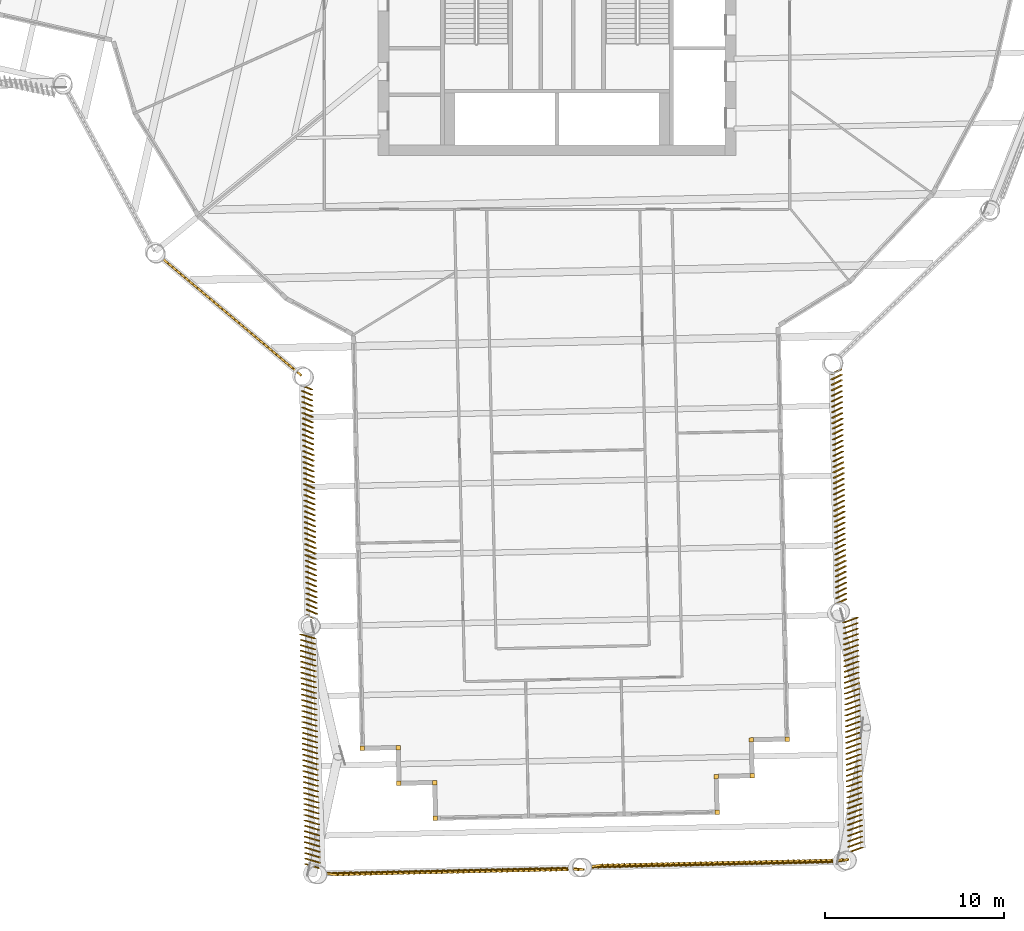
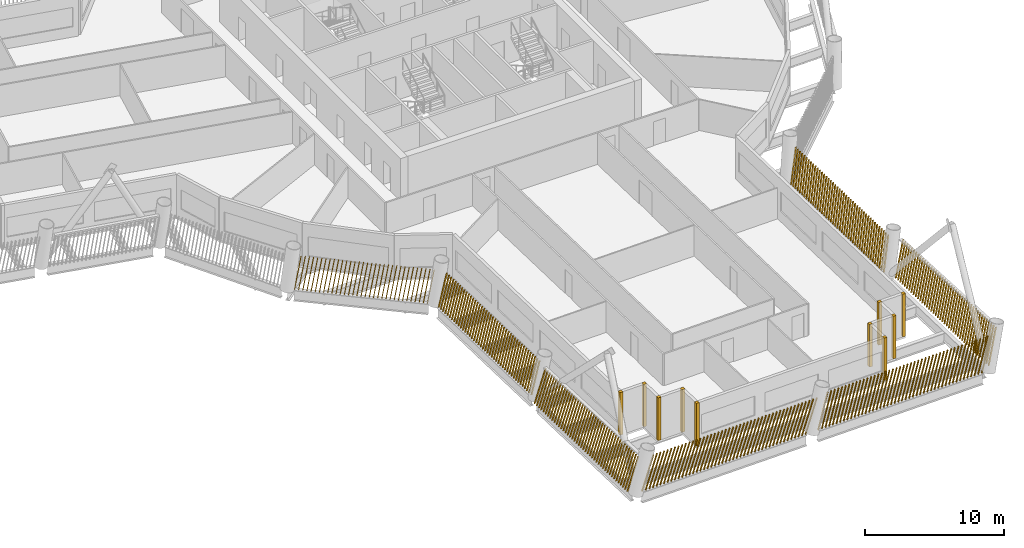
# One storey, part 19 of 23: 17 shading devices.
"""IFC4 building model written with IfcOpenShell, lengths in metres."""

import ifcopenshell
import ifcopenshell.guid

model = None  # the IFC model being written
_history = None  # IfcOwnerHistory: only IFC2X3 demands one
_inside = {}  # id of a spatial element -> (the spatial element, [elements in it])
_under = {}  # id of a project, library or spatial element -> (it, [spatial elements below it])
_declared = {}  # id of a project -> (the project, [libraries it declares])
_typed = {}  # id of a type object -> (the type object, [elements of that type])
_made_of = {}  # id of a material, layer set ... -> (it, [elements and type objects made of it])


def new_model(schema):
    """Start an empty IFC model of exactly this schema.

    Asked for "IFC4X3", IfcOpenShell would pick the latest addendum, in which some entities
    have other attributes; the version numbers below select the first issue.
    IFC2X3 requires an IfcOwnerHistory on every rooted entity: one is made here for all.
    """
    global model, _history
    if schema == "IFC4X3":
        model = ifcopenshell.file(schema_version=(4, 3, 0, 0))
    else:
        model = ifcopenshell.file(schema=schema)
    _inside.clear()
    _under.clear()
    _declared.clear()
    _typed.clear()
    _made_of.clear()
    _history = None
    if model.schema == "IFC2X3":
        org = make("IfcOrganization", Name="unknown")
        user = make(
            "IfcPersonAndOrganization",
            ThePerson=make("IfcPerson", FamilyName="unknown"),
            TheOrganization=org,
        )
        app = make(
            "IfcApplication",
            ApplicationDeveloper=org,
            Version="unknown",
            ApplicationFullName="unknown",
            ApplicationIdentifier="unknown",
        )
        _history = make(
            "IfcOwnerHistory",
            OwningUser=user,
            OwningApplication=app,
            ChangeAction="ADDED",
            CreationDate=0,
        )
    return model


def make(cls, **values):
    """One entity of the class cls with the attributes given. An attribute that is None is left unset."""
    return model.create_entity(
        cls, **{name: value for name, value in values.items() if value is not None}
    )


def rooted(cls, **values):
    """An entity with a GlobalId (a new one), such as an element, a storey or a relation."""
    return make(cls, GlobalId=ifcopenshell.guid.new(), OwnerHistory=_history, **values)


def si_unit(unit_type, name, prefix=None):
    """IfcSIUnit, for example si_unit("LENGTHUNIT", "METRE", prefix="MILLI")."""
    return make("IfcSIUnit", UnitType=unit_type, Prefix=prefix, Name=name)


def assignment(units):
    """IfcUnitAssignment: the units of a project."""
    return None if units is None else make("IfcUnitAssignment", Units=units)


def point(xyz):
    """IfcCartesianPoint."""
    return None if xyz is None else make("IfcCartesianPoint", Coordinates=xyz)


def direction(xyz):
    """IfcDirection."""
    return None if xyz is None else make("IfcDirection", DirectionRatios=xyz)


def frame(location, z_axis=None, x_axis=None):
    """IfcAxis2Placement3D, a coordinate frame: its origin and axes. An axis left out is left unset."""
    return make(
        "IfcAxis2Placement3D",
        Location=point(location),
        Axis=direction(z_axis),
        RefDirection=direction(x_axis),
    )


def frame_2d(location, x_axis=None):
    """IfcAxis2Placement2D, a coordinate frame in the plane: its origin and x axis."""
    return make(
        "IfcAxis2Placement2D", Location=point(location), RefDirection=direction(x_axis)
    )


def origin():
    """The frame at (0, 0, 0) with its axes left unset."""
    return frame((0.0, 0.0, 0.0))


def origin_2d():
    """The frame at (0, 0) in the plane with its x axis left unset."""
    return frame_2d((0.0, 0.0))


def place(relative_to, where):
    """IfcLocalPlacement: puts the frame where relative to a parent placement (None: the world)."""
    return make(
        "IfcLocalPlacement", PlacementRelTo=relative_to, RelativePlacement=where
    )


def context(
    kind, dimensions, precision=None, world=None, true_north=None, identifier=None
):
    """IfcGeometricRepresentationContext, for example the 3D "Model" context."""
    return make(
        "IfcGeometricRepresentationContext",
        ContextIdentifier=identifier,
        ContextType=kind,
        CoordinateSpaceDimension=dimensions,
        Precision=precision,
        WorldCoordinateSystem=world,
        TrueNorth=true_north,
    )


def subcontext(parent, identifier, kind, view, scale=None):
    """IfcGeometricRepresentationSubContext, for example "Body" below "Model"."""
    return make(
        "IfcGeometricRepresentationSubContext",
        ContextIdentifier=identifier,
        ContextType=kind,
        ParentContext=parent,
        TargetScale=scale,
        TargetView=view,
    )


def project(units=None, contexts=None):
    """IfcProject with its units and contexts."""
    return rooted(
        "IfcProject",
        Name="project",
        RepresentationContexts=contexts,
        UnitsInContext=assignment(units),
    )


def spatial(cls, under=None, at=None, **own):
    """A site, building, storey or space (cls), placed at a placement, below another one or the project."""
    s = rooted(cls, ObjectPlacement=at, **own)
    if under is not None:
        _under.setdefault(under.id(), (under, []))[1].append(s)
    return s


def profile(cls, at=None, kind="AREA", **sizes):
    """A parametric profile (cls). Its sizes go by their IFC names, for example OverallWidth=200.0."""
    return make(cls, ProfileType=kind, Position=at, **sizes)


def rectangle(**sizes):
    """IfcRectangleProfileDef."""
    return profile("IfcRectangleProfileDef", **sizes)


def composite_profile(profiles, kind="AREA"):
    """IfcCompositeProfileDef: several profiles as one."""
    return make("IfcCompositeProfileDef", ProfileType=kind, Profiles=profiles)


def extrude(swept, where, along, depth):
    """IfcExtrudedAreaSolid: the profile swept, set in the frame where, extruded along a direction by depth."""
    return make(
        "IfcExtrudedAreaSolid",
        SweptArea=swept,
        Position=where,
        ExtrudedDirection=direction(along),
        Depth=depth,
    )


def shape(context_of_items, identifier, shape_type, items):
    """IfcShapeRepresentation: the items that make up one representation, for example the "Body"."""
    return make(
        "IfcShapeRepresentation",
        ContextOfItems=context_of_items,
        RepresentationIdentifier=identifier,
        RepresentationType=shape_type,
        Items=items,
    )


def material(Name=None, Category=None):
    """IfcMaterial."""
    return make("IfcMaterial", Name=Name, Category=Category)


def made_of(thing, what):
    """Note that an element or type object is made of a material, layer set ...; save() writes the relation."""
    if what is not None:
        _made_of.setdefault(what.id(), (what, []))[1].append(thing)
    return thing


def type_object(cls, material=None, **own):
    """A type object (cls), such as IfcWallType, which elements share."""
    return made_of(rooted(cls, **own), material)


def element(
    cls,
    number,
    at=None,
    inside=None,
    cuts=None,
    type_object=None,
    material=None,
    context=None,
    identifier="Body",
    shape_type=None,
    held_by="IfcProductDefinitionShape",
    body=None,
    shapes=None,
    **own,
):
    """One element of the class cls, such as IfcWall. Its Tag is "e" and its number.

    at: its placement. inside: the storey or other place that contains it. cuts: it is an
    opening in that element (IfcRelVoidsElement). A single representation is given by context,
    identifier, shape_type and body (its items); several are given by shapes. held_by: the class
    of the entity that holds the representations. save() writes the other relations.
    """
    e = rooted(cls, Tag="e%d" % number, ObjectPlacement=at, **own)
    if body is not None:
        shapes = [shape(context, identifier, shape_type, body)]
    if shapes is not None:
        e.Representation = make(held_by, Representations=shapes)
    if inside is not None:
        _inside.setdefault(inside.id(), (inside, []))[1].append(e)
    if cuts is not None:
        rooted(
            "IfcRelVoidsElement", RelatingBuildingElement=cuts, RelatedOpeningElement=e
        )
    if type_object is not None:
        _typed.setdefault(type_object.id(), (type_object, []))[1].append(e)
    return made_of(e, material)


def aggregate(whole, parts):
    """IfcRelAggregates: a whole, such as a stair, and the parts it consists of."""
    return rooted("IfcRelAggregates", RelatingObject=whole, RelatedObjects=parts)


def save(model, path):
    """Write the relations noted so far, then the file.

    IfcRelAggregates (storeys below a building ...), IfcRelContainedInSpatialStructure (elements
    in a storey), IfcRelDefinesByType, IfcRelAssociatesMaterial and IfcRelDeclares: one each for
    every whole, place, type object, material and project.
    """
    for whole, parts in _under.values():
        aggregate(whole, parts)
    for where, things in _inside.values():
        rooted(
            "IfcRelContainedInSpatialStructure",
            RelatedElements=things,
            RelatingStructure=where,
        )
    for kind, things in _typed.values():
        rooted("IfcRelDefinesByType", RelatedObjects=things, RelatingType=kind)
    for what, things in _made_of.values():
        rooted("IfcRelAssociatesMaterial", RelatedObjects=things, RelatingMaterial=what)
    for by, libraries in _declared.values():
        rooted("IfcRelDeclares", RelatingContext=by, RelatedDefinitions=libraries)
    model.write(path)


model = new_model("IFC4")

# Units and contexts
model_context = context("Model", 3, precision=1e-05, world=origin(), true_north=direction((0.0, 1.0)))
body_context = subcontext(model_context, "Body", "Model", "MODEL_VIEW")
ifc_project = project(units=[si_unit("LENGTHUNIT", "METRE"), si_unit("AREAUNIT", "SQUARE_METRE"), si_unit("VOLUMEUNIT", "CUBIC_METRE"), si_unit("PLANEANGLEUNIT", "RADIAN"), si_unit("MASSUNIT", "GRAM", prefix="KILO")], contexts=[model_context])

# Site, building, storey
site_placement = place(None, origin())
site = spatial("IfcSite", under=ifc_project, at=site_placement, CompositionType="ELEMENT")
building_placement = place(site_placement, origin())
building = spatial("IfcBuilding", under=site, at=building_placement, Name="Tarsis Ring Headquarters", CompositionType="ELEMENT")
storey_placement = place(building_placement, frame((0.0, 0.0, 231.60009765625)))
storey = spatial("IfcBuildingStorey", under=building, at=storey_placement, Name="L54", CompositionType="ELEMENT", Elevation=231.60009765625)

# Shading devices
ifc_material = material(Name="Terracotta baguette", Category="masonry")
shading_device_type_1 = type_object("IfcShadingDeviceType", Name="Terracotta baguette screen", PredefinedType="USERDEFINED", material=ifc_material)
shading_device_1_placement = place(storey_placement, frame((-22.115478515625, -18.697021484375, 0.0), z_axis=(0.0, 0.0, 1.0), x_axis=(0.76519675203, -0.643797626483, 0.0)))
element("IfcShadingDevice", 1, at=shading_device_1_placement, inside=storey, type_object=shading_device_type_1, Name="Baguette screen L54-00", ObjectType="Terracotta baguette screen", PredefinedType="USERDEFINED", context=body_context, shape_type="SweptSolid", body=[
    extrude(composite_profile([rectangle(XDim=0.06005859375, YDim=0.1201171875, at=frame_2d((0.030029296875, 0.0))), rectangle(XDim=0.06005859375, YDim=0.1201171875, at=frame_2d((0.33349609375, 0.0))), rectangle(XDim=0.06005859375, YDim=0.1201171875, at=frame_2d((0.636962890625, 0.0))), rectangle(XDim=0.06005859375, YDim=0.1201171875, at=frame_2d((0.9404296875, 0.0))), rectangle(XDim=0.06005859375, YDim=0.1201171875, at=frame_2d((1.243896484375, 0.0))), rectangle(XDim=0.06005859375, YDim=0.1201171875, at=frame_2d((1.54736328125, 0.0))), rectangle(XDim=0.06005859375, YDim=0.1201171875, at=frame_2d((1.85107421875, 0.0))), rectangle(XDim=0.06005859375, YDim=0.1201171875, at=frame_2d((2.154541015625, 0.0))), rectangle(XDim=0.06005859375, YDim=0.1201171875, at=frame_2d((2.4580078125, 0.0))), rectangle(XDim=0.06005859375, YDim=0.1201171875, at=frame_2d((2.761474609375, 0.0))), rectangle(XDim=0.06005859375, YDim=0.1201171875, at=frame_2d((3.06494140625, 0.0))), rectangle(XDim=0.06005859375, YDim=0.1201171875, at=frame_2d((3.368408203125, 0.0))), rectangle(XDim=0.06005859375, YDim=0.1201171875, at=frame_2d((3.671875, 0.0))), rectangle(XDim=0.06005859375, YDim=0.1201171875, at=frame_2d((3.975341796875, 0.0))), rectangle(XDim=0.06005859375, YDim=0.1201171875, at=frame_2d((4.27880859375, 0.0))), rectangle(XDim=0.06005859375, YDim=0.1201171875, at=frame_2d((4.582275390625, 0.0))), rectangle(XDim=0.06005859375, YDim=0.1201171875, at=frame_2d((4.8857421875, 0.0))), rectangle(XDim=0.06005859375, YDim=0.1201171875, at=frame_2d((5.189453125, 0.0))), rectangle(XDim=0.06005859375, YDim=0.1201171875, at=frame_2d((5.492919921875, 0.0))), rectangle(XDim=0.06005859375, YDim=0.1201171875, at=frame_2d((5.79638671875, 0.0))), rectangle(XDim=0.06005859375, YDim=0.1201171875, at=frame_2d((6.099853515625, 0.0))), rectangle(XDim=0.06005859375, YDim=0.1201171875, at=frame_2d((6.4033203125, 0.0))), rectangle(XDim=0.06005859375, YDim=0.1201171875, at=frame_2d((6.706787109375, 0.0))), rectangle(XDim=0.06005859375, YDim=0.1201171875, at=frame_2d((7.01025390625, 0.0))), rectangle(XDim=0.06005859375, YDim=0.1201171875, at=frame_2d((7.313720703125, 0.0))), rectangle(XDim=0.06005859375, YDim=0.1201171875, at=frame_2d((7.6171875, 0.0))), rectangle(XDim=0.06005859375, YDim=0.1201171875, at=frame_2d((7.920654296875, 0.0))), rectangle(XDim=0.06005859375, YDim=0.1201171875, at=frame_2d((8.224365234375, 0.0))), rectangle(XDim=0.06005859375, YDim=0.1201171875, at=frame_2d((8.52783203125, 0.0))), rectangle(XDim=0.06005859375, YDim=0.1201171875, at=frame_2d((8.831298828125, 0.0))), rectangle(XDim=0.06005859375, YDim=0.1201171875, at=frame_2d((9.134765625, 0.0))), rectangle(XDim=0.06005859375, YDim=0.1201171875, at=frame_2d((9.438232421875, 0.0))), rectangle(XDim=0.06005859375, YDim=0.1201171875, at=frame_2d((9.74169921875, 0.0)))]), origin(), (0.16003226808, 0.001341989116, 0.9871108713), 2.988525390625),
])
shading_device_2_placement = place(storey_placement, frame((-14.244873046875, -25.809814453125, 0.0), z_axis=(0.0, 0.0, 1.0), x_axis=(0.021647397203, -0.9997729294, 0.0)))
element("IfcShadingDevice", 2, at=shading_device_2_placement, inside=storey, type_object=shading_device_type_1, Name="Baguette screen L54-01", ObjectType="Terracotta baguette screen", PredefinedType="USERDEFINED", context=body_context, shape_type="SweptSolid", body=[
    extrude(composite_profile([rectangle(XDim=0.06005859375, YDim=0.1201171875, at=frame_2d((0.030029296875, 0.0))), rectangle(XDim=0.06005859375, YDim=0.1201171875, at=frame_2d((0.335693359375, 0.0))), rectangle(XDim=0.06005859375, YDim=0.1201171875, at=frame_2d((0.6416015625, 0.0))), rectangle(XDim=0.06005859375, YDim=0.1201171875, at=frame_2d((0.947265625, 0.0))), rectangle(XDim=0.06005859375, YDim=0.1201171875, at=frame_2d((1.253173828125, 0.0))), rectangle(XDim=0.06005859375, YDim=0.1201171875, at=frame_2d((1.558837890625, 0.0))), rectangle(XDim=0.06005859375, YDim=0.1201171875, at=frame_2d((1.864501953125, 0.0))), rectangle(XDim=0.06005859375, YDim=0.1201171875, at=frame_2d((2.17041015625, 0.0))), rectangle(XDim=0.06005859375, YDim=0.1201171875, at=frame_2d((2.47607421875, 0.0))), rectangle(XDim=0.06005859375, YDim=0.1201171875, at=frame_2d((2.781982421875, 0.0))), rectangle(XDim=0.06005859375, YDim=0.1201171875, at=frame_2d((3.087646484375, 0.0))), rectangle(XDim=0.06005859375, YDim=0.1201171875, at=frame_2d((3.393310546875, 0.0))), rectangle(XDim=0.06005859375, YDim=0.1201171875, at=frame_2d((3.69921875, 0.0))), rectangle(XDim=0.06005859375, YDim=0.1201171875, at=frame_2d((4.0048828125, 0.0))), rectangle(XDim=0.06005859375, YDim=0.1201171875, at=frame_2d((4.310791015625, 0.0))), rectangle(XDim=0.06005859375, YDim=0.1201171875, at=frame_2d((4.616455078125, 0.0))), rectangle(XDim=0.06005859375, YDim=0.1201171875, at=frame_2d((4.922119140625, 0.0))), rectangle(XDim=0.06005859375, YDim=0.1201171875, at=frame_2d((5.22802734375, 0.0))), rectangle(XDim=0.06005859375, YDim=0.1201171875, at=frame_2d((5.53369140625, 0.0))), rectangle(XDim=0.06005859375, YDim=0.1201171875, at=frame_2d((5.839599609375, 0.0))), rectangle(XDim=0.06005859375, YDim=0.1201171875, at=frame_2d((6.145263671875, 0.0))), rectangle(XDim=0.06005859375, YDim=0.1201171875, at=frame_2d((6.451171875, 0.0))), rectangle(XDim=0.06005859375, YDim=0.1201171875, at=frame_2d((6.7568359375, 0.0))), rectangle(XDim=0.06005859375, YDim=0.1201171875, at=frame_2d((7.0625, 0.0))), rectangle(XDim=0.06005859375, YDim=0.1201171875, at=frame_2d((7.368408203125, 0.0))), rectangle(XDim=0.06005859375, YDim=0.1201171875, at=frame_2d((7.674072265625, 0.0))), rectangle(XDim=0.06005859375, YDim=0.1201171875, at=frame_2d((7.97998046875, 0.0))), rectangle(XDim=0.06005859375, YDim=0.1201171875, at=frame_2d((8.28564453125, 0.0))), rectangle(XDim=0.06005859375, YDim=0.1201171875, at=frame_2d((8.59130859375, 0.0))), rectangle(XDim=0.06005859375, YDim=0.1201171875, at=frame_2d((8.897216796875, 0.0))), rectangle(XDim=0.06005859375, YDim=0.1201171875, at=frame_2d((9.202880859375, 0.0))), rectangle(XDim=0.06005859375, YDim=0.1201171875, at=frame_2d((9.5087890625, 0.0))), rectangle(XDim=0.06005859375, YDim=0.1201171875, at=frame_2d((9.814453125, 0.0))), rectangle(XDim=0.06005859375, YDim=0.1201171875, at=frame_2d((10.1201171875, 0.0))), rectangle(XDim=0.06005859375, YDim=0.1201171875, at=frame_2d((10.426025390625, 0.0))), rectangle(XDim=0.06005859375, YDim=0.1201171875, at=frame_2d((10.731689453125, 0.0))), rectangle(XDim=0.06005859375, YDim=0.1201171875, at=frame_2d((11.03759765625, 0.0))), rectangle(XDim=0.06005859375, YDim=0.1201171875, at=frame_2d((11.34326171875, 0.0))), rectangle(XDim=0.06005859375, YDim=0.1201171875, at=frame_2d((11.64892578125, 0.0))), rectangle(XDim=0.06005859375, YDim=0.1201171875, at=frame_2d((11.954833984375, 0.0))), rectangle(XDim=0.06005859375, YDim=0.1201171875, at=frame_2d((12.260498046875, 0.0))), rectangle(XDim=0.06005859375, YDim=0.1201171875, at=frame_2d((12.56640625, 0.0))), rectangle(XDim=0.06005859375, YDim=0.1201171875, at=frame_2d((12.8720703125, 0.0)))]), origin(), (0.080936634437, 0.17861075888, 0.980585263003), 3.00830078125),
])
shading_device_3_placement = place(storey_placement, frame((-14.31884765625, -39.717041015625, 0.0), z_axis=(0.0, 0.0, 1.0), x_axis=(0.021647397203, -0.9997729294, 0.0)))
element("IfcShadingDevice", 3, at=shading_device_3_placement, inside=storey, type_object=shading_device_type_1, Name="Baguette screen L54-02", ObjectType="Terracotta baguette screen", PredefinedType="USERDEFINED", context=body_context, shape_type="SweptSolid", body=[
    extrude(composite_profile([rectangle(XDim=0.06005859375, YDim=0.1201171875, at=frame_2d((0.030029296875, 0.0))), rectangle(XDim=0.06005859375, YDim=0.1201171875, at=frame_2d((0.335693359375, 0.0))), rectangle(XDim=0.06005859375, YDim=0.1201171875, at=frame_2d((0.6416015625, 0.0))), rectangle(XDim=0.06005859375, YDim=0.1201171875, at=frame_2d((0.947265625, 0.0))), rectangle(XDim=0.06005859375, YDim=0.1201171875, at=frame_2d((1.253173828125, 0.0))), rectangle(XDim=0.06005859375, YDim=0.1201171875, at=frame_2d((1.558837890625, 0.0))), rectangle(XDim=0.06005859375, YDim=0.1201171875, at=frame_2d((1.864501953125, 0.0))), rectangle(XDim=0.06005859375, YDim=0.1201171875, at=frame_2d((2.17041015625, 0.0))), rectangle(XDim=0.06005859375, YDim=0.1201171875, at=frame_2d((2.47607421875, 0.0))), rectangle(XDim=0.06005859375, YDim=0.1201171875, at=frame_2d((2.781982421875, 0.0))), rectangle(XDim=0.06005859375, YDim=0.1201171875, at=frame_2d((3.087646484375, 0.0))), rectangle(XDim=0.06005859375, YDim=0.1201171875, at=frame_2d((3.393310546875, 0.0))), rectangle(XDim=0.06005859375, YDim=0.1201171875, at=frame_2d((3.69921875, 0.0))), rectangle(XDim=0.06005859375, YDim=0.1201171875, at=frame_2d((4.0048828125, 0.0))), rectangle(XDim=0.06005859375, YDim=0.1201171875, at=frame_2d((4.310791015625, 0.0))), rectangle(XDim=0.06005859375, YDim=0.1201171875, at=frame_2d((4.616455078125, 0.0))), rectangle(XDim=0.06005859375, YDim=0.1201171875, at=frame_2d((4.922119140625, 0.0))), rectangle(XDim=0.06005859375, YDim=0.1201171875, at=frame_2d((5.22802734375, 0.0))), rectangle(XDim=0.06005859375, YDim=0.1201171875, at=frame_2d((5.53369140625, 0.0))), rectangle(XDim=0.06005859375, YDim=0.1201171875, at=frame_2d((5.839599609375, 0.0))), rectangle(XDim=0.06005859375, YDim=0.1201171875, at=frame_2d((6.145263671875, 0.0))), rectangle(XDim=0.06005859375, YDim=0.1201171875, at=frame_2d((6.451171875, 0.0))), rectangle(XDim=0.06005859375, YDim=0.1201171875, at=frame_2d((6.7568359375, 0.0))), rectangle(XDim=0.06005859375, YDim=0.1201171875, at=frame_2d((7.0625, 0.0))), rectangle(XDim=0.06005859375, YDim=0.1201171875, at=frame_2d((7.368408203125, 0.0))), rectangle(XDim=0.06005859375, YDim=0.1201171875, at=frame_2d((7.674072265625, 0.0))), rectangle(XDim=0.06005859375, YDim=0.1201171875, at=frame_2d((7.97998046875, 0.0))), rectangle(XDim=0.06005859375, YDim=0.1201171875, at=frame_2d((8.28564453125, 0.0))), rectangle(XDim=0.06005859375, YDim=0.1201171875, at=frame_2d((8.59130859375, 0.0))), rectangle(XDim=0.06005859375, YDim=0.1201171875, at=frame_2d((8.897216796875, 0.0))), rectangle(XDim=0.06005859375, YDim=0.1201171875, at=frame_2d((9.202880859375, 0.0))), rectangle(XDim=0.06005859375, YDim=0.1201171875, at=frame_2d((9.5087890625, 0.0))), rectangle(XDim=0.06005859375, YDim=0.1201171875, at=frame_2d((9.814453125, 0.0))), rectangle(XDim=0.06005859375, YDim=0.1201171875, at=frame_2d((10.1201171875, 0.0))), rectangle(XDim=0.06005859375, YDim=0.1201171875, at=frame_2d((10.426025390625, 0.0))), rectangle(XDim=0.06005859375, YDim=0.1201171875, at=frame_2d((10.731689453125, 0.0))), rectangle(XDim=0.06005859375, YDim=0.1201171875, at=frame_2d((11.03759765625, 0.0))), rectangle(XDim=0.06005859375, YDim=0.1201171875, at=frame_2d((11.34326171875, 0.0))), rectangle(XDim=0.06005859375, YDim=0.1201171875, at=frame_2d((11.64892578125, 0.0))), rectangle(XDim=0.06005859375, YDim=0.1201171875, at=frame_2d((11.954833984375, 0.0))), rectangle(XDim=0.06005859375, YDim=0.1201171875, at=frame_2d((12.260498046875, 0.0))), rectangle(XDim=0.06005859375, YDim=0.1201171875, at=frame_2d((12.56640625, 0.0))), rectangle(XDim=0.06005859375, YDim=0.1201171875, at=frame_2d((12.8720703125, 0.0)))]), origin(), (0.081015411191, 0.251822022318, 0.964376571794), 3.058837890625),
])
shading_device_4_placement = place(storey_placement, frame((-13.154052734375, -53.09716796875, 0.0), z_axis=(0.0, 0.0, 1.0), x_axis=(0.999770013268, 0.021654135338, 0.0)))
element("IfcShadingDevice", 4, at=shading_device_4_placement, inside=storey, type_object=shading_device_type_1, Name="Baguette screen L54-03", ObjectType="Terracotta baguette screen", PredefinedType="USERDEFINED", context=body_context, shape_type="SweptSolid", body=[
    extrude(composite_profile([rectangle(XDim=0.06005859375, YDim=0.1201171875, at=frame_2d((0.030029296875, 0.0))), rectangle(XDim=0.06005859375, YDim=0.1201171875, at=frame_2d((0.33544921875, 0.0))), rectangle(XDim=0.06005859375, YDim=0.1201171875, at=frame_2d((0.640625, 0.0))), rectangle(XDim=0.06005859375, YDim=0.1201171875, at=frame_2d((0.946044921875, 0.0))), rectangle(XDim=0.06005859375, YDim=0.1201171875, at=frame_2d((1.25146484375, 0.0))), rectangle(XDim=0.06005859375, YDim=0.1201171875, at=frame_2d((1.556640625, 0.0))), rectangle(XDim=0.06005859375, YDim=0.1201171875, at=frame_2d((1.862060546875, 0.0))), rectangle(XDim=0.06005859375, YDim=0.1201171875, at=frame_2d((2.16748046875, 0.0))), rectangle(XDim=0.06005859375, YDim=0.1201171875, at=frame_2d((2.47265625, 0.0))), rectangle(XDim=0.06005859375, YDim=0.1201171875, at=frame_2d((2.778076171875, 0.0))), rectangle(XDim=0.06005859375, YDim=0.1201171875, at=frame_2d((3.08349609375, 0.0))), rectangle(XDim=0.06005859375, YDim=0.1201171875, at=frame_2d((3.388671875, 0.0))), rectangle(XDim=0.06005859375, YDim=0.1201171875, at=frame_2d((3.694091796875, 0.0))), rectangle(XDim=0.06005859375, YDim=0.1201171875, at=frame_2d((3.99951171875, 0.0))), rectangle(XDim=0.06005859375, YDim=0.1201171875, at=frame_2d((4.3046875, 0.0))), rectangle(XDim=0.06005859375, YDim=0.1201171875, at=frame_2d((4.610107421875, 0.0))), rectangle(XDim=0.06005859375, YDim=0.1201171875, at=frame_2d((4.91552734375, 0.0))), rectangle(XDim=0.06005859375, YDim=0.1201171875, at=frame_2d((5.220703125, 0.0))), rectangle(XDim=0.06005859375, YDim=0.1201171875, at=frame_2d((5.526123046875, 0.0))), rectangle(XDim=0.06005859375, YDim=0.1201171875, at=frame_2d((5.83154296875, 0.0))), rectangle(XDim=0.06005859375, YDim=0.1201171875, at=frame_2d((6.13671875, 0.0))), rectangle(XDim=0.06005859375, YDim=0.1201171875, at=frame_2d((6.442138671875, 0.0))), rectangle(XDim=0.06005859375, YDim=0.1201171875, at=frame_2d((6.74755859375, 0.0))), rectangle(XDim=0.06005859375, YDim=0.1201171875, at=frame_2d((7.052734375, 0.0))), rectangle(XDim=0.06005859375, YDim=0.1201171875, at=frame_2d((7.358154296875, 0.0))), rectangle(XDim=0.06005859375, YDim=0.1201171875, at=frame_2d((7.66357421875, 0.0))), rectangle(XDim=0.06005859375, YDim=0.1201171875, at=frame_2d((7.96875, 0.0))), rectangle(XDim=0.06005859375, YDim=0.1201171875, at=frame_2d((8.274169921875, 0.0))), rectangle(XDim=0.06005859375, YDim=0.1201171875, at=frame_2d((8.57958984375, 0.0))), rectangle(XDim=0.06005859375, YDim=0.1201171875, at=frame_2d((8.884765625, 0.0))), rectangle(XDim=0.06005859375, YDim=0.1201171875, at=frame_2d((9.190185546875, 0.0))), rectangle(XDim=0.06005859375, YDim=0.1201171875, at=frame_2d((9.49560546875, 0.0))), rectangle(XDim=0.06005859375, YDim=0.1201171875, at=frame_2d((9.80078125, 0.0))), rectangle(XDim=0.06005859375, YDim=0.1201171875, at=frame_2d((10.106201171875, 0.0))), rectangle(XDim=0.06005859375, YDim=0.1201171875, at=frame_2d((10.41162109375, 0.0))), rectangle(XDim=0.06005859375, YDim=0.1201171875, at=frame_2d((10.716796875, 0.0))), rectangle(XDim=0.06005859375, YDim=0.1201171875, at=frame_2d((11.022216796875, 0.0))), rectangle(XDim=0.06005859375, YDim=0.1201171875, at=frame_2d((11.32763671875, 0.0))), rectangle(XDim=0.06005859375, YDim=0.1201171875, at=frame_2d((11.6328125, 0.0))), rectangle(XDim=0.06005859375, YDim=0.1201171875, at=frame_2d((11.938232421875, 0.0))), rectangle(XDim=0.06005859375, YDim=0.1201171875, at=frame_2d((12.24365234375, 0.0))), rectangle(XDim=0.06005859375, YDim=0.1201171875, at=frame_2d((12.548828125, 0.0))), rectangle(XDim=0.06005859375, YDim=0.1201171875, at=frame_2d((12.854248046875, 0.0))), rectangle(XDim=0.06005859375, YDim=0.1201171875, at=frame_2d((13.15966796875, 0.0))), rectangle(XDim=0.06005859375, YDim=0.1201171875, at=frame_2d((13.46484375, 0.0))), rectangle(XDim=0.06005859375, YDim=0.1201171875, at=frame_2d((13.770263671875, 0.0)))]), origin(), (0.287346377736, -0.037824454245, 0.957079604768), 3.082275390625),
])
shading_device_5_placement = place(storey_placement, frame((1.642578125, -52.77685546875, 0.0), z_axis=(0.0, 0.0, 1.0), x_axis=(0.9997700092, 0.021636826835, 0.0)))
element("IfcShadingDevice", 5, at=shading_device_5_placement, inside=storey, type_object=shading_device_type_1, Name="Baguette screen L54-04", ObjectType="Terracotta baguette screen", PredefinedType="USERDEFINED", context=body_context, shape_type="SweptSolid", body=[
    extrude(composite_profile([rectangle(XDim=0.06005859375, YDim=0.1201171875, at=frame_2d((0.030029296875, 0.0))), rectangle(XDim=0.06005859375, YDim=0.1201171875, at=frame_2d((0.33544921875, 0.0))), rectangle(XDim=0.06005859375, YDim=0.1201171875, at=frame_2d((0.640625, 0.0))), rectangle(XDim=0.06005859375, YDim=0.1201171875, at=frame_2d((0.946044921875, 0.0))), rectangle(XDim=0.06005859375, YDim=0.1201171875, at=frame_2d((1.25146484375, 0.0))), rectangle(XDim=0.06005859375, YDim=0.1201171875, at=frame_2d((1.556640625, 0.0))), rectangle(XDim=0.06005859375, YDim=0.1201171875, at=frame_2d((1.862060546875, 0.0))), rectangle(XDim=0.06005859375, YDim=0.1201171875, at=frame_2d((2.16748046875, 0.0))), rectangle(XDim=0.06005859375, YDim=0.1201171875, at=frame_2d((2.47265625, 0.0))), rectangle(XDim=0.06005859375, YDim=0.1201171875, at=frame_2d((2.778076171875, 0.0))), rectangle(XDim=0.06005859375, YDim=0.1201171875, at=frame_2d((3.08349609375, 0.0))), rectangle(XDim=0.06005859375, YDim=0.1201171875, at=frame_2d((3.388671875, 0.0))), rectangle(XDim=0.06005859375, YDim=0.1201171875, at=frame_2d((3.694091796875, 0.0))), rectangle(XDim=0.06005859375, YDim=0.1201171875, at=frame_2d((3.99951171875, 0.0))), rectangle(XDim=0.06005859375, YDim=0.1201171875, at=frame_2d((4.3046875, 0.0))), rectangle(XDim=0.06005859375, YDim=0.1201171875, at=frame_2d((4.610107421875, 0.0))), rectangle(XDim=0.06005859375, YDim=0.1201171875, at=frame_2d((4.91552734375, 0.0))), rectangle(XDim=0.06005859375, YDim=0.1201171875, at=frame_2d((5.220703125, 0.0))), rectangle(XDim=0.06005859375, YDim=0.1201171875, at=frame_2d((5.526123046875, 0.0))), rectangle(XDim=0.06005859375, YDim=0.1201171875, at=frame_2d((5.83154296875, 0.0))), rectangle(XDim=0.06005859375, YDim=0.1201171875, at=frame_2d((6.13671875, 0.0))), rectangle(XDim=0.06005859375, YDim=0.1201171875, at=frame_2d((6.442138671875, 0.0))), rectangle(XDim=0.06005859375, YDim=0.1201171875, at=frame_2d((6.74755859375, 0.0))), rectangle(XDim=0.06005859375, YDim=0.1201171875, at=frame_2d((7.052734375, 0.0))), rectangle(XDim=0.06005859375, YDim=0.1201171875, at=frame_2d((7.358154296875, 0.0))), rectangle(XDim=0.06005859375, YDim=0.1201171875, at=frame_2d((7.66357421875, 0.0))), rectangle(XDim=0.06005859375, YDim=0.1201171875, at=frame_2d((7.96875, 0.0))), rectangle(XDim=0.06005859375, YDim=0.1201171875, at=frame_2d((8.274169921875, 0.0))), rectangle(XDim=0.06005859375, YDim=0.1201171875, at=frame_2d((8.57958984375, 0.0))), rectangle(XDim=0.06005859375, YDim=0.1201171875, at=frame_2d((8.884765625, 0.0))), rectangle(XDim=0.06005859375, YDim=0.1201171875, at=frame_2d((9.190185546875, 0.0))), rectangle(XDim=0.06005859375, YDim=0.1201171875, at=frame_2d((9.49560546875, 0.0))), rectangle(XDim=0.06005859375, YDim=0.1201171875, at=frame_2d((9.80078125, 0.0))), rectangle(XDim=0.06005859375, YDim=0.1201171875, at=frame_2d((10.106201171875, 0.0))), rectangle(XDim=0.06005859375, YDim=0.1201171875, at=frame_2d((10.41162109375, 0.0))), rectangle(XDim=0.06005859375, YDim=0.1201171875, at=frame_2d((10.716796875, 0.0))), rectangle(XDim=0.06005859375, YDim=0.1201171875, at=frame_2d((11.022216796875, 0.0))), rectangle(XDim=0.06005859375, YDim=0.1201171875, at=frame_2d((11.32763671875, 0.0))), rectangle(XDim=0.06005859375, YDim=0.1201171875, at=frame_2d((11.6328125, 0.0))), rectangle(XDim=0.06005859375, YDim=0.1201171875, at=frame_2d((11.938232421875, 0.0))), rectangle(XDim=0.06005859375, YDim=0.1201171875, at=frame_2d((12.24365234375, 0.0))), rectangle(XDim=0.06005859375, YDim=0.1201171875, at=frame_2d((12.548828125, 0.0))), rectangle(XDim=0.06005859375, YDim=0.1201171875, at=frame_2d((12.854248046875, 0.0))), rectangle(XDim=0.06005859375, YDim=0.1201171875, at=frame_2d((13.15966796875, 0.0))), rectangle(XDim=0.06005859375, YDim=0.1201171875, at=frame_2d((13.46484375, 0.0))), rectangle(XDim=0.06005859375, YDim=0.1201171875, at=frame_2d((13.770263671875, 0.0)))]), origin(), (0.28667293775, 0.042630409562, 0.957079555179), 3.082275390625),
])
shading_device_6_placement = place(storey_placement, frame((16.30322265625, -51.95947265625, 0.0), z_axis=(0.0, 0.0, 1.0), x_axis=(-0.021646987587, 0.999772933697, 0.0)))
element("IfcShadingDevice", 6, at=shading_device_6_placement, inside=storey, type_object=shading_device_type_1, Name="Baguette screen L54-05", ObjectType="Terracotta baguette screen", PredefinedType="USERDEFINED", context=body_context, shape_type="SweptSolid", body=[
    extrude(composite_profile([rectangle(XDim=0.06005859375, YDim=0.1201171875, at=frame_2d((0.030029296875, 0.0))), rectangle(XDim=0.06005859375, YDim=0.1201171875, at=frame_2d((0.335693359375, 0.0))), rectangle(XDim=0.06005859375, YDim=0.1201171875, at=frame_2d((0.6416015625, 0.0))), rectangle(XDim=0.06005859375, YDim=0.1201171875, at=frame_2d((0.947265625, 0.0))), rectangle(XDim=0.06005859375, YDim=0.1201171875, at=frame_2d((1.253173828125, 0.0))), rectangle(XDim=0.06005859375, YDim=0.1201171875, at=frame_2d((1.558837890625, 0.0))), rectangle(XDim=0.06005859375, YDim=0.1201171875, at=frame_2d((1.864501953125, 0.0))), rectangle(XDim=0.06005859375, YDim=0.1201171875, at=frame_2d((2.17041015625, 0.0))), rectangle(XDim=0.06005859375, YDim=0.1201171875, at=frame_2d((2.47607421875, 0.0))), rectangle(XDim=0.06005859375, YDim=0.1201171875, at=frame_2d((2.781982421875, 0.0))), rectangle(XDim=0.06005859375, YDim=0.1201171875, at=frame_2d((3.087646484375, 0.0))), rectangle(XDim=0.06005859375, YDim=0.1201171875, at=frame_2d((3.393310546875, 0.0))), rectangle(XDim=0.06005859375, YDim=0.1201171875, at=frame_2d((3.69921875, 0.0))), rectangle(XDim=0.06005859375, YDim=0.1201171875, at=frame_2d((4.0048828125, 0.0))), rectangle(XDim=0.06005859375, YDim=0.1201171875, at=frame_2d((4.310791015625, 0.0))), rectangle(XDim=0.06005859375, YDim=0.1201171875, at=frame_2d((4.616455078125, 0.0))), rectangle(XDim=0.06005859375, YDim=0.1201171875, at=frame_2d((4.922119140625, 0.0))), rectangle(XDim=0.06005859375, YDim=0.1201171875, at=frame_2d((5.22802734375, 0.0))), rectangle(XDim=0.06005859375, YDim=0.1201171875, at=frame_2d((5.53369140625, 0.0))), rectangle(XDim=0.06005859375, YDim=0.1201171875, at=frame_2d((5.839599609375, 0.0))), rectangle(XDim=0.06005859375, YDim=0.1201171875, at=frame_2d((6.145263671875, 0.0))), rectangle(XDim=0.06005859375, YDim=0.1201171875, at=frame_2d((6.451171875, 0.0))), rectangle(XDim=0.06005859375, YDim=0.1201171875, at=frame_2d((6.7568359375, 0.0))), rectangle(XDim=0.06005859375, YDim=0.1201171875, at=frame_2d((7.0625, 0.0))), rectangle(XDim=0.06005859375, YDim=0.1201171875, at=frame_2d((7.368408203125, 0.0))), rectangle(XDim=0.06005859375, YDim=0.1201171875, at=frame_2d((7.674072265625, 0.0))), rectangle(XDim=0.06005859375, YDim=0.1201171875, at=frame_2d((7.97998046875, 0.0))), rectangle(XDim=0.06005859375, YDim=0.1201171875, at=frame_2d((8.28564453125, 0.0))), rectangle(XDim=0.06005859375, YDim=0.1201171875, at=frame_2d((8.59130859375, 0.0))), rectangle(XDim=0.06005859375, YDim=0.1201171875, at=frame_2d((8.897216796875, 0.0))), rectangle(XDim=0.06005859375, YDim=0.1201171875, at=frame_2d((9.202880859375, 0.0))), rectangle(XDim=0.06005859375, YDim=0.1201171875, at=frame_2d((9.5087890625, 0.0))), rectangle(XDim=0.06005859375, YDim=0.1201171875, at=frame_2d((9.814453125, 0.0))), rectangle(XDim=0.06005859375, YDim=0.1201171875, at=frame_2d((10.1201171875, 0.0))), rectangle(XDim=0.06005859375, YDim=0.1201171875, at=frame_2d((10.426025390625, 0.0))), rectangle(XDim=0.06005859375, YDim=0.1201171875, at=frame_2d((10.731689453125, 0.0))), rectangle(XDim=0.06005859375, YDim=0.1201171875, at=frame_2d((11.03759765625, 0.0))), rectangle(XDim=0.06005859375, YDim=0.1201171875, at=frame_2d((11.34326171875, 0.0))), rectangle(XDim=0.06005859375, YDim=0.1201171875, at=frame_2d((11.64892578125, 0.0))), rectangle(XDim=0.06005859375, YDim=0.1201171875, at=frame_2d((11.954833984375, 0.0))), rectangle(XDim=0.06005859375, YDim=0.1201171875, at=frame_2d((12.260498046875, 0.0))), rectangle(XDim=0.06005859375, YDim=0.1201171875, at=frame_2d((12.56640625, 0.0))), rectangle(XDim=0.06005859375, YDim=0.1201171875, at=frame_2d((12.8720703125, 0.0)))]), origin(), (0.085219481852, -0.250430484832, 0.964376592509), 3.058837890625),
])
shading_device_7_placement = place(storey_placement, frame((15.62744140625, -38.068603515625, 0.0), z_axis=(0.0, 0.0, 1.0), x_axis=(-0.021628065395, 0.999772933697, 0.0)))
element("IfcShadingDevice", 7, at=shading_device_7_placement, inside=storey, type_object=shading_device_type_1, Name="Baguette screen L54-06", ObjectType="Terracotta baguette screen", PredefinedType="USERDEFINED", context=body_context, shape_type="SweptSolid", body=[
    extrude(composite_profile([rectangle(XDim=0.06005859375, YDim=0.1201171875, at=frame_2d((0.030029296875, 0.0))), rectangle(XDim=0.06005859375, YDim=0.1201171875, at=frame_2d((0.335693359375, 0.0))), rectangle(XDim=0.06005859375, YDim=0.1201171875, at=frame_2d((0.6416015625, 0.0))), rectangle(XDim=0.06005859375, YDim=0.1201171875, at=frame_2d((0.947265625, 0.0))), rectangle(XDim=0.06005859375, YDim=0.1201171875, at=frame_2d((1.253173828125, 0.0))), rectangle(XDim=0.06005859375, YDim=0.1201171875, at=frame_2d((1.558837890625, 0.0))), rectangle(XDim=0.06005859375, YDim=0.1201171875, at=frame_2d((1.864501953125, 0.0))), rectangle(XDim=0.06005859375, YDim=0.1201171875, at=frame_2d((2.17041015625, 0.0))), rectangle(XDim=0.06005859375, YDim=0.1201171875, at=frame_2d((2.47607421875, 0.0))), rectangle(XDim=0.06005859375, YDim=0.1201171875, at=frame_2d((2.781982421875, 0.0))), rectangle(XDim=0.06005859375, YDim=0.1201171875, at=frame_2d((3.087646484375, 0.0))), rectangle(XDim=0.06005859375, YDim=0.1201171875, at=frame_2d((3.393310546875, 0.0))), rectangle(XDim=0.06005859375, YDim=0.1201171875, at=frame_2d((3.69921875, 0.0))), rectangle(XDim=0.06005859375, YDim=0.1201171875, at=frame_2d((4.0048828125, 0.0))), rectangle(XDim=0.06005859375, YDim=0.1201171875, at=frame_2d((4.310791015625, 0.0))), rectangle(XDim=0.06005859375, YDim=0.1201171875, at=frame_2d((4.616455078125, 0.0))), rectangle(XDim=0.06005859375, YDim=0.1201171875, at=frame_2d((4.922119140625, 0.0))), rectangle(XDim=0.06005859375, YDim=0.1201171875, at=frame_2d((5.22802734375, 0.0))), rectangle(XDim=0.06005859375, YDim=0.1201171875, at=frame_2d((5.53369140625, 0.0))), rectangle(XDim=0.06005859375, YDim=0.1201171875, at=frame_2d((5.839599609375, 0.0))), rectangle(XDim=0.06005859375, YDim=0.1201171875, at=frame_2d((6.145263671875, 0.0))), rectangle(XDim=0.06005859375, YDim=0.1201171875, at=frame_2d((6.451171875, 0.0))), rectangle(XDim=0.06005859375, YDim=0.1201171875, at=frame_2d((6.7568359375, 0.0))), rectangle(XDim=0.06005859375, YDim=0.1201171875, at=frame_2d((7.0625, 0.0))), rectangle(XDim=0.06005859375, YDim=0.1201171875, at=frame_2d((7.368408203125, 0.0))), rectangle(XDim=0.06005859375, YDim=0.1201171875, at=frame_2d((7.674072265625, 0.0))), rectangle(XDim=0.06005859375, YDim=0.1201171875, at=frame_2d((7.97998046875, 0.0))), rectangle(XDim=0.06005859375, YDim=0.1201171875, at=frame_2d((8.28564453125, 0.0))), rectangle(XDim=0.06005859375, YDim=0.1201171875, at=frame_2d((8.59130859375, 0.0))), rectangle(XDim=0.06005859375, YDim=0.1201171875, at=frame_2d((8.897216796875, 0.0))), rectangle(XDim=0.06005859375, YDim=0.1201171875, at=frame_2d((9.202880859375, 0.0))), rectangle(XDim=0.06005859375, YDim=0.1201171875, at=frame_2d((9.5087890625, 0.0))), rectangle(XDim=0.06005859375, YDim=0.1201171875, at=frame_2d((9.814453125, 0.0))), rectangle(XDim=0.06005859375, YDim=0.1201171875, at=frame_2d((10.1201171875, 0.0))), rectangle(XDim=0.06005859375, YDim=0.1201171875, at=frame_2d((10.426025390625, 0.0))), rectangle(XDim=0.06005859375, YDim=0.1201171875, at=frame_2d((10.731689453125, 0.0))), rectangle(XDim=0.06005859375, YDim=0.1201171875, at=frame_2d((11.03759765625, 0.0))), rectangle(XDim=0.06005859375, YDim=0.1201171875, at=frame_2d((11.34326171875, 0.0))), rectangle(XDim=0.06005859375, YDim=0.1201171875, at=frame_2d((11.64892578125, 0.0))), rectangle(XDim=0.06005859375, YDim=0.1201171875, at=frame_2d((11.954833984375, 0.0))), rectangle(XDim=0.06005859375, YDim=0.1201171875, at=frame_2d((12.260498046875, 0.0))), rectangle(XDim=0.06005859375, YDim=0.1201171875, at=frame_2d((12.56640625, 0.0))), rectangle(XDim=0.06005859375, YDim=0.1201171875, at=frame_2d((12.8720703125, 0.0)))]), origin(), (0.083918714141, -0.177229405409, 0.980585226931), 3.00830078125),
])
shading_device_type_2 = type_object("IfcShadingDeviceType", Name="Terracotta corner baguette 250x250", PredefinedType="USERDEFINED", material=ifc_material)
for number, where, z_axis, x_axis, name in (
    (8, (-10.87939453125, -46.121337890625, 0.0), (0.0, 0.0, 1.0), (0.021640393312, -0.999765819268, 0.0), "Corner baguette L54-07"),
    (9, (-8.8798828125, -46.077880859375, 0.0), (0.0, 0.0, 1.0), (0.999765817002, 0.021640498007, 0.0), "Corner baguette L54-08"),
    (10, (-8.836669921875, -48.077392578125, 0.0), (0.0, 0.0, 1.0), (0.021640498007, -0.999765817002, 0.0), "Corner baguette L54-09"),
    (11, (-6.837158203125, -48.0341796875, 0.0), (0.0, 0.0, 1.0), (0.999765816624, 0.021640515457, 0.0), "Corner baguette L54-10"),
    (12, (-6.7939453125, -50.03369140625, 0.0), (0.0, 0.0, 1.0), (0.021640498007, -0.999765817002, 0.0), "Corner baguette L54-11"),
    (13, (8.952392578125, -49.69287109375, 0.0), (0.0, 0.0, 1.0), (0.999765819646, 0.021640375863, 0.0), "Corner baguette L54-12"),
    (14, (8.9091796875, -47.693359375, 0.0), (0.0, 0.0, 1.0), (-0.021640498007, 0.999765817002, 0.0), "Corner baguette L54-13"),
    (15, (10.90869140625, -47.650146484375, 0.0), (0.0, 0.0, 1.0), (0.999765817002, 0.021640498007, 0.0), "Corner baguette L54-14"),
    (16, (10.865478515625, -45.650634765625, 0.0), (0.0, 0.0, 1.0), (-0.021640498007, 0.999765817002, 0.0), "Corner baguette L54-15"),
    (17, (12.864990234375, -45.607177734375, 0.0), (0.0, 0.0, 1.0), (0.999765827955, 0.02163999198, 0.0), "Corner baguette L54-16"),
):
    element("IfcShadingDevice", number, at=place(storey_placement, frame(where, z_axis=z_axis, x_axis=x_axis)), inside=storey, type_object=shading_device_type_2, Name=name, ObjectType="Terracotta corner baguette", PredefinedType="USERDEFINED", context=body_context, shape_type="SweptSolid", body=[
        extrude(rectangle(XDim=0.25, YDim=0.25, at=origin_2d()), origin(), (0.0, 0.0, 1.0), 3.739990234375),
    ])

save(model, "model.ifc")
